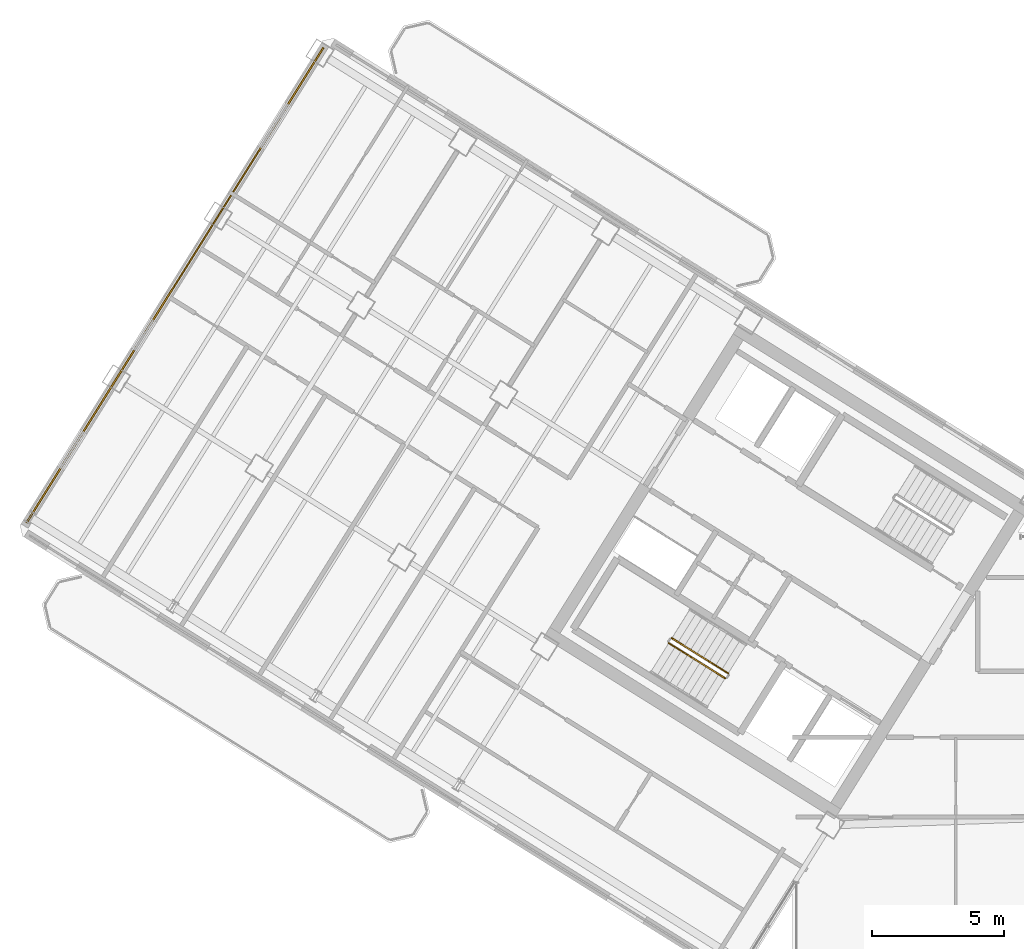
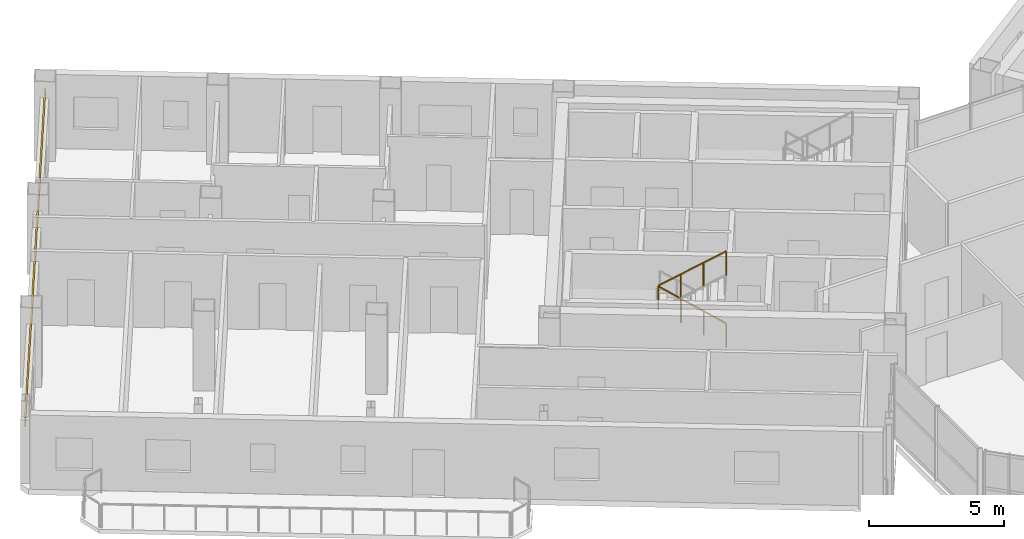
# One storey, part 24 of 29: 2 railings, 1 covering.
"""IFC4 building model written with IfcOpenShell, lengths in metres."""

from ifc_helpers import new_model, si_unit, direction, frame, origin, origin_2d, place, context, subcontext, project, spatial, rectangle, extrude, source, transform, mapped, material, layer, layer_set, type_object, element, save


model = new_model("IFC4")

# Units and contexts
model_context = context("Model", 3, precision=1e-05, world=origin(), true_north=direction((0.0, 1.0)))
body_context = subcontext(model_context, "Body", "Model", "MODEL_VIEW")
ifc_project = project(units=[si_unit("LENGTHUNIT", "METRE"), si_unit("AREAUNIT", "SQUARE_METRE"), si_unit("VOLUMEUNIT", "CUBIC_METRE"), si_unit("PLANEANGLEUNIT", "RADIAN"), si_unit("MASSUNIT", "GRAM", prefix="KILO")], contexts=[model_context])

# Site, building, storey
site_placement = place(None, origin())
site = spatial("IfcSite", under=ifc_project, at=site_placement, CompositionType="ELEMENT")
building_placement = place(site_placement, origin())
building = spatial("IfcBuilding", under=site, at=building_placement, Name="Tlacorven Tower", CompositionType="ELEMENT")
storey_placement = place(building_placement, frame((0.0, 0.0, 238.5)))
storey = spatial("IfcBuildingStorey", under=building, at=storey_placement, Name="L60", CompositionType="ELEMENT", Elevation=238.5)

# Covering
ifc_material_1 = material(Name="Precast concrete C45/55", Category="concrete")
ifc_layer = layer(ifc_material_1, 0.06005859375)
ifc_layer_set = layer_set([ifc_layer], Name="Precast concrete C45/55")
covering_type = type_object("IfcCoveringType", Name="CV-CLD-TERC", PredefinedType="CLADDING", material=ifc_layer_set)
shared_shape_1 = source(origin(), body_context, "Body", "SweptSolid", [
    extrude(rectangle(XDim=21.287353515625, YDim=0.06005859375, at=origin_2d()), origin(), (0.0, 0.0, 1.0), 0.419921875),
])
covering_placement = place(storey_placement, frame((8.13427734375, 32.606201171875, 2.455078125), z_axis=(0.0, 0.0, 1.0), x_axis=(0.529918940959, 0.84804829816, 0.0)))
element("IfcCovering", 1, at=covering_placement, inside=storey, type_object=covering_type, Name="L60 Masonry-Frame Spandrel Cladding 2", PredefinedType="CLADDING", context=body_context, shape_type="MappedRepresentation", body=[
    mapped(shared_shape_1, transform((0.0, 0.0, 0.0), scale=1.0)),
])

# Railings
ifc_material_2 = material(Name="Aluminium and painted steel balustrade", Category="steel")
railing_type = type_object("IfcRailingType", Name="RL-GRD-1100", PredefinedType="GUARDRAIL", material=ifc_material_2)
shared_shape_2 = source(origin(), body_context, "Body", "SweptSolid", [
    extrude(rectangle(XDim=0.048095703125, YDim=0.048095703125, at=origin_2d()), frame((0.0, 0.0, 1.076171875), z_axis=(-0.713319727316, 0.445773895627, 0.540796265334), x_axis=(-0.529955395941, -0.84802551749, 0.0)), (0.0, 0.0, 1.0), 2.995849609375),
    extrude(rectangle(XDim=0.0419921875, YDim=0.0419921875, at=origin_2d()), origin(), (0.0, 0.0, 1.0), 1.052001953125),
    extrude(rectangle(XDim=0.0419921875, YDim=0.0419921875, at=origin_2d()), frame((-0.71240234375, 0.445068359375, 0.5400390625)), (0.0, 0.0, 1.0), 1.052001953125),
    extrude(rectangle(XDim=0.0419921875, YDim=0.0419921875, at=origin_2d()), frame((-1.424560546875, 0.890380859375, 1.080078125)), (0.0, 0.0, 1.0), 1.052001953125),
    extrude(rectangle(XDim=0.0419921875, YDim=0.0419921875, at=origin_2d()), frame((-2.136962890625, 1.33544921875, 1.6201171875)), (0.0, 0.0, 1.0), 1.052001953125),
])
railing_1_placement = place(storey_placement, frame((29.16064453125, 17.851806640625, 0.179931640625)))
element("IfcRailing", 2, at=railing_1_placement, inside=storey, type_object=railing_type, Name="L60 ST-W1 stair guard 1", PredefinedType="GUARDRAIL", context=body_context, shape_type="MappedRepresentation", body=[
    mapped(shared_shape_2, transform((0.0, 0.0, 0.0), scale=1.0)),
])
shared_shape_3 = source(origin(), body_context, "Body", "SweptSolid", [
    extrude(rectangle(XDim=0.048095703125, YDim=0.048095703125, at=origin_2d()), frame((0.0, 0.0, 1.076171875), z_axis=(0.713359751793, -0.4457479829, 0.540764828981), x_axis=(0.529911857636, 0.848052724267, 0.0)), (0.0, 0.0, 1.0), 2.99609375),
    extrude(rectangle(XDim=0.0419921875, YDim=0.0419921875, at=origin_2d()), origin(), (0.0, 0.0, 1.0), 1.052001953125),
    extrude(rectangle(XDim=0.0419921875, YDim=0.0419921875, at=origin_2d()), frame((0.71240234375, -0.445068359375, 0.5400390625)), (0.0, 0.0, 1.0), 1.052001953125),
    extrude(rectangle(XDim=0.0419921875, YDim=0.0419921875, at=origin_2d()), frame((1.4248046875, -0.890380859375, 1.080078125)), (0.0, 0.0, 1.0), 1.052001953125),
    extrude(rectangle(XDim=0.0419921875, YDim=0.0419921875, at=origin_2d()), frame((2.13720703125, -1.33544921875, 1.6201171875)), (0.0, 0.0, 1.0), 1.052001953125),
])
railing_2_placement = place(storey_placement, frame((26.906982421875, 19.000732421875, 1.97998046875)))
element("IfcRailing", 3, at=railing_2_placement, inside=storey, type_object=railing_type, Name="L60 ST-W1 stair guard 3", PredefinedType="GUARDRAIL", context=body_context, shape_type="MappedRepresentation", body=[
    mapped(shared_shape_3, transform((0.0, 0.0, 0.0), scale=1.0)),
])

save(model, "model.ifc")
